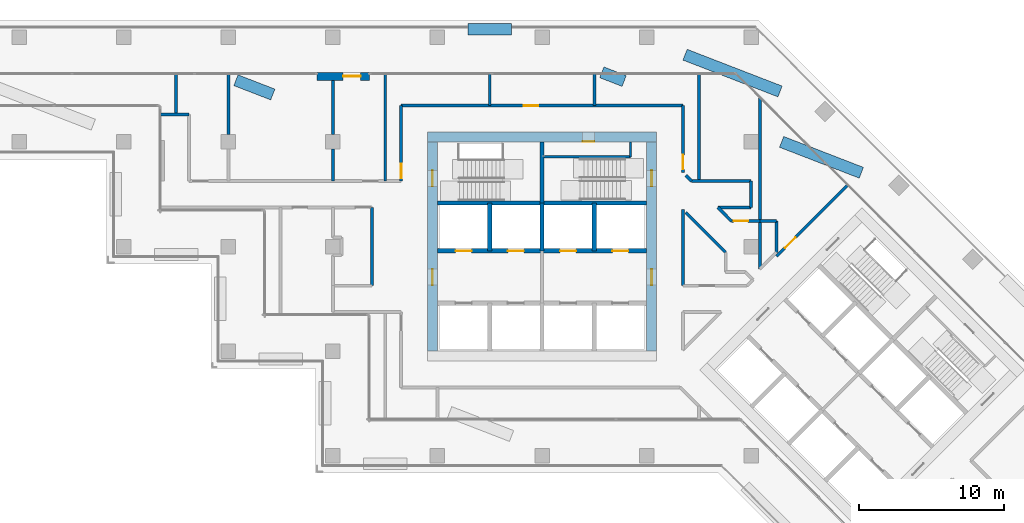
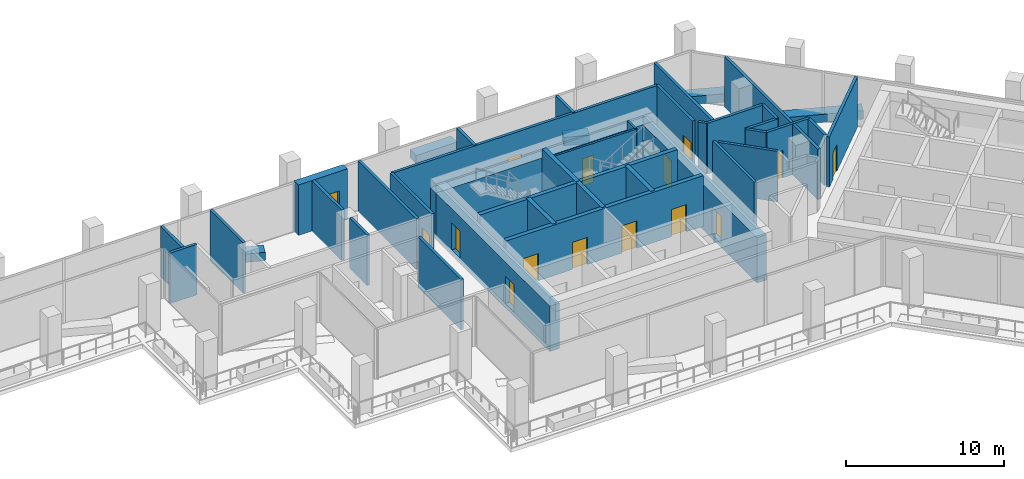
# One storey, part 11 of 21: 44 walls, 15 doors, 15 openings.
"""IFC4 building model written with IfcOpenShell, lengths in metres."""

from ifc_helpers import new_model, si_unit, direction, frame, frame_2d, origin, place, context, subcontext, project, spatial, rectangle, extrude, material, layer, layer_set, type_object, element, fill, save


model = new_model("IFC4")

# Units and contexts
model_context = context("Model", 3, precision=1e-05, world=origin(), true_north=direction((0.0, 1.0)))
body_context = subcontext(model_context, "Body", "Model", "MODEL_VIEW")
ifc_project = project(units=[si_unit("LENGTHUNIT", "METRE"), si_unit("AREAUNIT", "SQUARE_METRE"), si_unit("VOLUMEUNIT", "CUBIC_METRE"), si_unit("PLANEANGLEUNIT", "RADIAN"), si_unit("MASSUNIT", "GRAM", prefix="KILO")], contexts=[model_context])

# Site, building, storey
site_placement = place(None, origin())
site = spatial("IfcSite", under=ifc_project, at=site_placement, CompositionType="ELEMENT")
building_placement = place(site_placement, origin())
building = spatial("IfcBuilding", under=site, at=building_placement, Name="Windrow Commons", CompositionType="ELEMENT")
storey_placement = place(building_placement, frame((0.0, 0.0, 131.2)))
storey = spatial("IfcBuildingStorey", under=building, at=storey_placement, Name="L35", CompositionType="ELEMENT", Elevation=131.2)

# Wall, opening, door
ifc_material_1 = material(Name="Brick masonry, red clay brick", Category="masonry")
ifc_layer_1 = layer(ifc_material_1, 0.55)
ifc_layer_set_1 = layer_set([ifc_layer_1], Name="Brick facade wall 550")
wall_type_1 = type_object("IfcWallType", Name="Brick facade wall 550", PredefinedType="SOLIDWALL", material=ifc_layer_set_1)
wall_1_placement = place(storey_placement, frame((52.9029, 69.325, 0.0), z_axis=(0.0, 0.0, 1.0), x_axis=(-1.0, 0.0, 0.0)))
wall_1 = element("IfcWall", 1, at=wall_1_placement, inside=storey, type_object=wall_type_1, Name="Brick facade wall L35 door pier 4", PredefinedType="SOLIDWALL", context=body_context, shape_type="SweptSolid", body=[
    extrude(rectangle(XDim=3.6, YDim=0.55, at=frame_2d((1.8, 0.0))), origin(), (0.0, 0.0, 1.0), 3.9),
])
opening_1_placement = place(wall_1_placement, frame((0.6, 0.0, 0.0)))
opening_1 = element("IfcOpeningElement", 2, at=opening_1_placement, cuts=wall_1, Name="Opening TD7", PredefinedType="OPENING", context=body_context, shape_type="SweptSolid", body=[
    extrude(rectangle(XDim=1.2, YDim=2.4, at=frame_2d((0.6, 1.2))), frame((0.0, 0.285, 0.0), z_axis=(0.0, -1.0, 0.0), x_axis=(1.0, 0.0, 0.0)), (0.0, 0.0, 1.0), 0.57),
])
ifc_material_2 = material(Name="Aluminium 6063-T6 anodised frame with clear glass", Category="aluminium")
door_type_1 = type_object("IfcDoorType", Name="Terrace door TD7 1200x2400", OperationType="SINGLE_SWING_LEFT", PredefinedType="DOOR", material=ifc_material_2)
door_1_placement = place(opening_1_placement, origin())
door_1 = element("IfcDoor", 3, at=door_1_placement, inside=storey, type_object=door_type_1, Name="Terrace door L35 4.1", OperationType="SINGLE_SWING_LEFT", OverallHeight=2.4, OverallWidth=1.2, PredefinedType="DOOR", context=body_context, shape_type="SweptSolid", body=[
    extrude(rectangle(XDim=1.2, YDim=2.4, at=frame_2d((0.6, 1.2))), frame((0.0, 0.025, 0.0), z_axis=(0.0, -1.0, 0.0), x_axis=(1.0, 0.0, 0.0)), (0.0, 0.0, 1.0), 0.05),
])
fill(opening_1, door_1)

ifc_material_3 = material(Name="Blockwork partition", Category="masonry")
ifc_layer_2 = layer(ifc_material_3, 0.2)
ifc_layer_set_2 = layer_set([ifc_layer_2], Name="IW-CORRIDOR-200")
wall_type_2 = type_object("IfcWallType", Name="IW-CORRIDOR-200", PredefinedType="PARTITIONING", material=ifc_layer_set_2)
wall_2_placement = place(storey_placement, frame((55.102, 67.3, 0.0), z_axis=(0.0, 0.0, 1.0), x_axis=(1.0, 0.0, 0.0)))
wall_2 = element("IfcWall", 4, at=wall_2_placement, inside=storey, type_object=wall_type_2, Name="W-L35-W000", PredefinedType="PARTITIONING", context=body_context, shape_type="SweptSolid", body=[
    extrude(rectangle(XDim=19.398, YDim=0.2, at=frame_2d((9.699, 0.0))), origin(), (0.0, 0.0, 1.0), 3.9),
])
opening_2_placement = place(wall_2_placement, frame((8.4355, 0.0, 0.0)))
opening_2 = element("IfcOpeningElement", 5, at=opening_2_placement, cuts=wall_2, Name="Opening D310F", PredefinedType="OPENING", context=body_context, shape_type="SweptSolid", body=[
    extrude(rectangle(XDim=1.0, YDim=2.1, at=frame_2d((0.5, 1.05))), frame((0.0, 0.11, 0.0), z_axis=(0.0, -1.0, 0.0), x_axis=(1.0, 0.0, 0.0)), (0.0, 0.0, 1.0), 0.22),
])
ifc_material_4 = material(Name="Timber door leaf", Category="wood")
door_type_2 = type_object("IfcDoorType", Name="DT-AMENITY-1000", OperationType="SINGLE_SWING_LEFT", PredefinedType="DOOR", material=ifc_material_4)
door_2_placement = place(opening_2_placement, origin())
door_2 = element("IfcDoor", 6, at=door_2_placement, inside=storey, type_object=door_type_2, Name="D-L35-D010", OperationType="SINGLE_SWING_LEFT", OverallHeight=2.1, OverallWidth=1.0, PredefinedType="DOOR", context=body_context, shape_type="SweptSolid", body=[
    extrude(rectangle(XDim=1.0, YDim=2.1, at=frame_2d((0.5, 1.05))), frame((0.0, 0.025, 0.0), z_axis=(0.0, -1.0, 0.0), x_axis=(1.0, 0.0, 0.0)), (0.0, 0.0, 1.0), 0.05),
])
fill(opening_2, door_2)

wall_3_placement = place(storey_placement, frame((80.9507, 56.9233, 0.0), z_axis=(0.0, 0.0, 1.0), x_axis=(0.7071067812, 0.7071067812, 0.0)))
wall_3 = element("IfcWall", 7, at=wall_3_placement, inside=storey, type_object=wall_type_2, Name="W-L35-W013", PredefinedType="PARTITIONING", context=body_context, shape_type="SweptSolid", body=[
    extrude(rectangle(XDim=6.8929, YDim=0.2, at=frame_2d((3.4465, 0.0))), origin(), (0.0, 0.0, 1.0), 3.9),
])
opening_3_placement = place(wall_3_placement, frame((0.8322, 0.0, 0.0)))
opening_3 = element("IfcOpeningElement", 8, at=opening_3_placement, cuts=wall_3, Name="Opening D310F", PredefinedType="OPENING", context=body_context, shape_type="SweptSolid", body=[
    extrude(rectangle(XDim=1.0, YDim=2.1, at=frame_2d((0.5, 1.05))), frame((0.0, 0.11, 0.0), z_axis=(0.0, -1.0, 0.0), x_axis=(1.0, 0.0, 0.0)), (0.0, 0.0, 1.0), 0.22),
])
door_3_placement = place(opening_3_placement, origin())
door_3 = element("IfcDoor", 9, at=door_3_placement, inside=storey, type_object=door_type_2, Name="D-L35-D012", OperationType="SINGLE_SWING_RIGHT", OverallHeight=2.1, OverallWidth=1.0, PredefinedType="DOOR", context=body_context, shape_type="SweptSolid", body=[
    extrude(rectangle(XDim=1.0, YDim=2.1, at=frame_2d((0.5, 1.05))), frame((0.0, 0.025, 0.0), z_axis=(0.0, -1.0, 0.0), x_axis=(1.0, 0.0, 0.0)), (0.0, 0.0, 1.0), 0.05),
])
fill(opening_3, door_3)

# Walls
wall_4_placement = place(storey_placement, frame((53.1, 54.902, 0.0), z_axis=(0.0, 0.0, 1.0), x_axis=(0.0, 1.0, 0.0)))
element("IfcWall", 10, at=wall_4_placement, inside=storey, type_object=wall_type_2, Name="W-L35-W014", PredefinedType="PARTITIONING", context=body_context, shape_type="SweptSolid", body=[
    extrude(rectangle(XDim=5.398, YDim=0.2, at=frame_2d((2.699, 0.0))), origin(), (0.0, 0.0, 1.0), 3.9),
])
wall_5_placement = place(storey_placement, frame((74.5, 54.902, 0.0), z_axis=(0.0, 0.0, 1.0), x_axis=(0.0, 1.0, 0.0)))
element("IfcWall", 11, at=wall_5_placement, inside=storey, type_object=wall_type_2, Name="W-L35-W015", PredefinedType="PARTITIONING", context=body_context, shape_type="SweptSolid", body=[
    extrude(rectangle(XDim=5.25, YDim=0.2, at=frame_2d((2.625, 0.0))), origin(), (0.0, 0.0, 1.0), 3.9),
])

# Wall, opening, door
wall_6_placement = place(storey_placement, frame((55.1, 62.102, 0.0), z_axis=(0.0, 0.0, 1.0), x_axis=(0.0, 1.0, 0.0)))
wall_6 = element("IfcWall", 12, at=wall_6_placement, inside=storey, type_object=wall_type_2, Name="W-L35-W017", PredefinedType="PARTITIONING", context=body_context, shape_type="SweptSolid", body=[
    extrude(rectangle(XDim=5.196, YDim=0.2, at=frame_2d((2.598, 0.0))), origin(), (0.0, 0.0, 1.0), 3.9),
])
opening_4_placement = place(wall_6_placement, frame((0.1994, 0.0, 0.0)))
opening_4 = element("IfcOpeningElement", 13, at=opening_4_placement, cuts=wall_6, Name="Opening D310F", PredefinedType="OPENING", context=body_context, shape_type="SweptSolid", body=[
    extrude(rectangle(XDim=1.0, YDim=2.1, at=frame_2d((0.5, 1.05))), frame((0.0, 0.11, 0.0), z_axis=(0.0, -1.0, 0.0), x_axis=(1.0, 0.0, 0.0)), (0.0, 0.0, 1.0), 0.22),
])
door_4_placement = place(opening_4_placement, origin())
door_4 = element("IfcDoor", 14, at=door_4_placement, inside=storey, type_object=door_type_2, Name="D-L35-D008", OperationType="SINGLE_SWING_LEFT", OverallHeight=2.1, OverallWidth=1.0, PredefinedType="DOOR", context=body_context, shape_type="SweptSolid", body=[
    extrude(rectangle(XDim=1.0, YDim=2.1, at=frame_2d((0.5, 1.05))), frame((0.0, 0.025, 0.0), z_axis=(0.0, -1.0, 0.0), x_axis=(1.0, 0.0, 0.0)), (0.0, 0.0, 1.0), 0.05),
])
fill(opening_4, door_4)

wall_7_placement = place(storey_placement, frame((74.5, 62.7, 0.0), z_axis=(0.0, 0.0, 1.0), x_axis=(0.0, 1.0, 0.0)))
wall_7 = element("IfcWall", 15, at=wall_7_placement, inside=storey, type_object=wall_type_2, Name="W-L35-W020", PredefinedType="PARTITIONING", context=body_context, shape_type="SweptSolid", body=[
    extrude(rectangle(XDim=4.598, YDim=0.2, at=frame_2d((2.299, 0.0))), origin(), (0.0, 0.0, 1.0), 3.9),
])
opening_5_placement = place(wall_7_placement, frame((0.21, 0.0, 0.0)))
opening_5 = element("IfcOpeningElement", 16, at=opening_5_placement, cuts=wall_7, Name="Opening D310F", PredefinedType="OPENING", context=body_context, shape_type="SweptSolid", body=[
    extrude(rectangle(XDim=1.0, YDim=2.1, at=frame_2d((0.5, 1.05))), frame((0.0, 0.11, 0.0), z_axis=(0.0, -1.0, 0.0), x_axis=(1.0, 0.0, 0.0)), (0.0, 0.0, 1.0), 0.22),
])
door_5_placement = place(opening_5_placement, origin())
door_5 = element("IfcDoor", 17, at=door_5_placement, inside=storey, type_object=door_type_2, Name="D-L35-D009", OperationType="SINGLE_SWING_LEFT", OverallHeight=2.1, OverallWidth=1.0, PredefinedType="DOOR", context=body_context, shape_type="SweptSolid", body=[
    extrude(rectangle(XDim=1.0, YDim=2.1, at=frame_2d((0.5, 1.05))), frame((0.0, 0.025, 0.0), z_axis=(0.0, -1.0, 0.0), x_axis=(1.0, 0.0, 0.0)), (0.0, 0.0, 1.0), 0.05),
])
fill(opening_5, door_5)

# Walls
wall_8_placement = place(storey_placement, frame((75.1, 62.1, 0.0), z_axis=(0.0, 0.0, 1.0), x_axis=(1.0, 0.0, 0.0)))
element("IfcWall", 18, at=wall_8_placement, inside=storey, type_object=wall_type_2, Name="W-L35-W024", PredefinedType="PARTITIONING", context=body_context, shape_type="SweptSolid", body=[
    extrude(rectangle(XDim=4.1, YDim=0.2, at=frame_2d((2.05, 0.0))), origin(), (0.0, 0.0, 1.0), 3.9),
])
wall_9_placement = place(storey_placement, frame((74.6966, 59.9506, 0.0), z_axis=(0.0, 0.0, 1.0), x_axis=(0.7071067812, -0.7071067812, 0.0)))
element("IfcWall", 19, at=wall_9_placement, inside=storey, type_object=wall_type_2, Name="W-L35-W025", PredefinedType="PARTITIONING", context=body_context, shape_type="SweptSolid", body=[
    extrude(rectangle(XDim=3.8891, YDim=0.2, at=frame_2d((1.9446, 0.0))), origin(), (0.0, 0.0, 1.0), 3.9),
])
wall_10_placement = place(storey_placement, frame((79.8, 56.056, 0.0), z_axis=(0.0, 0.0, 1.0), x_axis=(0.0, 1.0, 0.0)))
element("IfcWall", 20, at=wall_10_placement, inside=storey, type_object=wall_type_2, Name="W-L35-W027", PredefinedType="PARTITIONING", context=body_context, shape_type="SweptSolid", body=[
    extrude(rectangle(XDim=3.294, YDim=0.2, at=frame_2d((1.647, 0.0))), origin(), (0.0, 0.0, 1.0), 3.9),
])
wall_11_placement = place(storey_placement, frame((76.902, 60.3, 0.0), z_axis=(0.0, 0.0, 1.0), x_axis=(1.0, 0.0, 0.0)))
element("IfcWall", 21, at=wall_11_placement, inside=storey, type_object=wall_type_2, Name="W-L35-W034", PredefinedType="PARTITIONING", context=body_context, shape_type="SweptSolid", body=[
    extrude(rectangle(XDim=2.296, YDim=0.2, at=frame_2d((1.148, 0.0))), origin(), (0.0, 0.0, 1.0), 3.9),
])
wall_12_placement = place(storey_placement, frame((38.53, 66.7, 0.0), z_axis=(0.0, 0.0, 1.0), x_axis=(1.0, 0.0, 0.0)))
element("IfcWall", 22, at=wall_12_placement, inside=storey, type_object=wall_type_2, Name="W-L35-W044", PredefinedType="PARTITIONING", context=body_context, shape_type="SweptSolid", body=[
    extrude(rectangle(XDim=1.97, YDim=0.2, at=frame_2d((0.985, 0.0))), origin(), (0.0, 0.0, 1.0), 3.9),
])

# Wall, opening, door
wall_13_placement = place(storey_placement, frame((77.85, 59.35, 0.0), z_axis=(0.0, 0.0, 1.0), x_axis=(1.0, 0.0, 0.0)))
wall_13 = element("IfcWall", 23, at=wall_13_placement, inside=storey, type_object=wall_type_2, Name="W-L35-W045", PredefinedType="PARTITIONING", context=body_context, shape_type="SweptSolid", body=[
    extrude(rectangle(XDim=1.95, YDim=0.2, at=frame_2d((0.975, 0.0))), origin(), (0.0, 0.0, 1.0), 3.9),
])
opening_6_placement = place(wall_13_placement, frame((0.1472, 0.0, 0.0)))
opening_6 = element("IfcOpeningElement", 24, at=opening_6_placement, cuts=wall_13, Name="Opening D310F", PredefinedType="OPENING", context=body_context, shape_type="SweptSolid", body=[
    extrude(rectangle(XDim=1.0, YDim=2.1, at=frame_2d((0.5, 1.05))), frame((0.0, 0.11, 0.0), z_axis=(0.0, -1.0, 0.0), x_axis=(1.0, 0.0, 0.0)), (0.0, 0.0, 1.0), 0.22),
])
door_6_placement = place(opening_6_placement, origin())
door_6 = element("IfcDoor", 25, at=door_6_placement, inside=storey, type_object=door_type_2, Name="D-L35-D011", OperationType="SINGLE_SWING_LEFT", OverallHeight=2.1, OverallWidth=1.0, PredefinedType="DOOR", context=body_context, shape_type="SweptSolid", body=[
    extrude(rectangle(XDim=1.0, YDim=2.1, at=frame_2d((0.5, 1.05))), frame((0.0, 0.025, 0.0), z_axis=(0.0, -1.0, 0.0), x_axis=(1.0, 0.0, 0.0)), (0.0, 0.0, 1.0), 0.05),
])
fill(opening_6, door_6)

# Walls
wall_14_placement = place(storey_placement, frame((79.2, 60.302, 0.0), z_axis=(0.0, 0.0, 1.0), x_axis=(0.0, 1.0, 0.0)))
element("IfcWall", 26, at=wall_14_placement, inside=storey, type_object=wall_type_2, Name="W-L35-W047", PredefinedType="PARTITIONING", context=body_context, shape_type="SweptSolid", body=[
    extrude(rectangle(XDim=1.798, YDim=0.2, at=frame_2d((0.899, 0.0))), origin(), (0.0, 0.0, 1.0), 3.9),
])
wall_15_placement = place(storey_placement, frame((76.9029, 60.3009, 0.0), z_axis=(0.0, 0.0, 1.0), x_axis=(0.7063612818, -0.7078514954, 0.0)))
element("IfcWall", 27, at=wall_15_placement, inside=storey, type_object=wall_type_2, Name="W-L35-W051", PredefinedType="PARTITIONING", context=body_context, shape_type="SweptSolid", body=[
    extrude(rectangle(XDim=1.3421, YDim=0.2, at=frame_2d((0.6711, 0.0))), origin(), (0.0, 0.0, 1.0), 3.9),
])
wall_16_placement = place(storey_placement, frame((74.7035, 62.5035, 0.0), z_axis=(0.0, 0.0, 1.0), x_axis=(0.7071067812, -0.7071067812, 0.0)))
element("IfcWall", 28, at=wall_16_placement, inside=storey, type_object=wall_type_2, Name="W-L35-W059", PredefinedType="PARTITIONING", context=body_context, shape_type="SweptSolid", body=[
    extrude(rectangle(XDim=0.5657, YDim=0.2, at=frame_2d((0.2828, 0.0))), origin(), (0.0, 0.0, 1.0), 3.9),
])
ifc_material_5 = material(Name="Blockwork partition", Category="masonry")
ifc_layer_3 = layer(ifc_material_5, 0.2)
ifc_layer_set_3 = layer_set([ifc_layer_3], Name="IW-PARTY-200")
wall_type_3 = type_object("IfcWallType", Name="IW-PARTY-200", PredefinedType="PARTITIONING", material=ifc_layer_set_3)
wall_17_placement = place(storey_placement, frame((79.8, 59.35, 0.0), z_axis=(0.0, 0.0, 1.0), x_axis=(0.0, 1.0, 0.0)))
element("IfcWall", 29, at=wall_17_placement, inside=storey, type_object=wall_type_3, Name="W-L35-W006", PredefinedType="PARTITIONING", context=body_context, shape_type="SweptSolid", body=[
    extrude(rectangle(XDim=8.472, YDim=0.2, at=frame_2d((4.236, 0.0))), origin(), (0.0, 0.0, 1.0), 3.9),
])
for number, where, z_axis, x_axis, name in (
    (30, (54.0, 62.1, 0.0), (0.0, 0.0, 1.0), (0.0, 1.0, 0.0), "W-L35-W011"),
    (31, (75.6, 62.1, 0.0), (0.0, 0.0, 1.0), (0.0, 1.0, 0.0), "W-L35-W012"),
):
    element("IfcWall", number, at=place(storey_placement, frame(where, z_axis=z_axis, x_axis=x_axis)), inside=storey, type_object=wall_type_3, Name=name, PredefinedType="PARTITIONING", context=body_context, shape_type="SweptSolid", body=[
        extrude(rectangle(XDim=7.37, YDim=0.2, at=frame_2d((3.685, 0.0))), origin(), (0.0, 0.0, 1.0), 3.9),
    ])
wall_18_placement = place(storey_placement, frame((43.2, 65.3, 0.0), z_axis=(0.0, 0.0, 1.0), x_axis=(0.0, 1.0, 0.0)))
element("IfcWall", 32, at=wall_18_placement, inside=storey, type_object=wall_type_3, Name="W-L35-W022", PredefinedType="PARTITIONING", context=body_context, shape_type="SweptSolid", body=[
    extrude(rectangle(XDim=4.17, YDim=0.2, at=frame_2d((2.085, 0.0))), origin(), (0.0, 0.0, 1.0), 3.9),
])
wall_19_placement = place(storey_placement, frame((50.4, 65.3, 0.0), z_axis=(0.0, 0.0, 1.0), x_axis=(0.0, 1.0, 0.0)))
element("IfcWall", 33, at=wall_19_placement, inside=storey, type_object=wall_type_3, Name="W-L35-W023", PredefinedType="PARTITIONING", context=body_context, shape_type="SweptSolid", body=[
    extrude(rectangle(XDim=3.75, YDim=0.2, at=frame_2d((1.875, 0.0))), origin(), (0.0, 0.0, 1.0), 3.9),
])
wall_20_placement = place(storey_placement, frame((39.6, 66.7, 0.0), z_axis=(0.0, 0.0, 1.0), x_axis=(0.0, 1.0, 0.0)))
element("IfcWall", 34, at=wall_20_placement, inside=storey, type_object=wall_type_3, Name="W-L35-W030", PredefinedType="PARTITIONING", context=body_context, shape_type="SweptSolid", body=[
    extrude(rectangle(XDim=2.77, YDim=0.2, at=frame_2d((1.385, 0.0))), origin(), (0.0, 0.0, 1.0), 3.9),
])
wall_21_placement = place(storey_placement, frame((50.4, 62.1, 0.0), z_axis=(0.0, 0.0, 1.0), x_axis=(0.0, 1.0, 0.0)))
element("IfcWall", 35, at=wall_21_placement, inside=storey, type_object=wall_type_3, Name="W-L35-W036", PredefinedType="PARTITIONING", context=body_context, shape_type="SweptSolid", body=[
    extrude(rectangle(XDim=2.2, YDim=0.2, at=frame_2d((1.1, 0.0))), origin(), (0.0, 0.0, 1.0), 3.9),
])
for number, where, z_axis, x_axis, name in (
    (36, (61.2, 67.3, 0.0), (0.0, 0.0, 1.0), (0.0, 1.0, 0.0), "W-L35-W038"),
    (37, (68.4, 67.3, 0.0), (0.0, 0.0, 1.0), (0.0, 1.0, 0.0), "W-L35-W039"),
):
    element("IfcWall", number, at=place(storey_placement, frame(where, z_axis=z_axis, x_axis=x_axis)), inside=storey, type_object=wall_type_3, Name=name, PredefinedType="PARTITIONING", context=body_context, shape_type="SweptSolid", body=[
        extrude(rectangle(XDim=2.17, YDim=0.2, at=frame_2d((1.085, 0.0))), origin(), (0.0, 0.0, 1.0), 3.9),
    ])
wall_22_placement = place(storey_placement, frame((80.95, 57.204, 0.0), z_axis=(0.0, 0.0, 1.0), x_axis=(0.0, 1.0, 0.0)))
element("IfcWall", 38, at=wall_22_placement, inside=storey, type_object=wall_type_3, Name="W-L35-W040", PredefinedType="PARTITIONING", context=body_context, shape_type="SweptSolid", body=[
    extrude(rectangle(XDim=2.144, YDim=0.2, at=frame_2d((1.072, 0.0))), origin(), (0.0, 0.0, 1.0), 3.9),
])
wall_23_placement = place(storey_placement, frame((79.8, 59.35, 0.0), z_axis=(0.0, 0.0, 1.0), x_axis=(1.0, 0.0, 0.0)))
element("IfcWall", 39, at=wall_23_placement, inside=storey, type_object=wall_type_3, Name="W-L35-W053", PredefinedType="PARTITIONING", context=body_context, shape_type="SweptSolid", body=[
    extrude(rectangle(XDim=1.148, YDim=0.2, at=frame_2d((0.574, 0.0))), origin(), (0.0, 0.0, 1.0), 3.9),
])
ifc_material_6 = material(Name="Concrete C30/37 planter wall", Category="concrete")
ifc_layer_4 = layer(ifc_material_6, 0.8)
ifc_layer_set_4 = layer_set([ifc_layer_4], Name="Planter 800x600")
wall_type_4 = type_object("IfcWallType", Name="Planter 800x600", PredefinedType="SOLIDWALL", material=ifc_layer_set_4)
wall_24_placement = place(storey_placement, frame((62.7, 72.55, 0.0), z_axis=(0.0, 0.0, 1.0), x_axis=(-1.0, 0.0, 0.0)))
element("IfcWall", 40, at=wall_24_placement, inside=storey, type_object=wall_type_4, Name="PLANTER TR-L35-1.5", PredefinedType="SOLIDWALL", context=body_context, shape_type="SweptSolid", body=[
    extrude(rectangle(XDim=3.0, YDim=0.8, at=frame_2d((1.5, 0.0))), origin(), (0.0, 0.0, 1.0), 0.65),
])
wall_25_placement = place(storey_placement, frame((81.1932, 68.277, 0.0), z_axis=(0.0, 0.0, 1.0), x_axis=(-0.9326194654, 0.3608613761, 0.0)))
element("IfcWall", 41, at=wall_25_placement, inside=storey, type_object=wall_type_4, Name="PLANTER TR-L35-1 bed 1", PredefinedType="SOLIDWALL", context=body_context, shape_type="SweptSolid", body=[
    extrude(rectangle(XDim=7.0177, YDim=0.8, at=frame_2d((3.5088, 0.0))), origin(), (0.0, 0.0, 1.0), 0.65),
])
wall_26_placement = place(storey_placement, frame((86.7899, 62.6803, 0.0), z_axis=(0.0, 0.0, 1.0), x_axis=(-0.9326208509, 0.3608577955, 0.0)))
element("IfcWall", 42, at=wall_26_placement, inside=storey, type_object=wall_type_4, Name="PLANTER TR-L35-1 bed 2", PredefinedType="SOLIDWALL", context=body_context, shape_type="SweptSolid", body=[
    extrude(rectangle(XDim=5.8865, YDim=0.8, at=frame_2d((2.9432, 0.0))), origin(), (0.0, 0.0, 1.0), 0.65),
])
wall_27_placement = place(storey_placement, frame((70.4569, 69.0, 0.0), z_axis=(0.0, 0.0, 1.0), x_axis=(-0.9326148784, 0.3608732306, 0.0)))
element("IfcWall", 43, at=wall_27_placement, inside=storey, type_object=wall_type_4, Name="PLANTER TR-L35-1 bed 3", PredefinedType="SOLIDWALL", context=body_context, shape_type="SweptSolid", body=[
    extrude(rectangle(XDim=1.6479, YDim=0.8, at=frame_2d((0.8239, 0.0))), origin(), (0.0, 0.0, 1.0), 0.65),
])
wall_28_placement = place(storey_placement, frame((46.2596, 68.069, 0.0), z_axis=(0.0, 0.0, 1.0), x_axis=(-0.9326139528, 0.3608756227, 0.0)))
element("IfcWall", 44, at=wall_28_placement, inside=storey, type_object=wall_type_4, Name="PLANTER TR-L35-1 bed 7", PredefinedType="SOLIDWALL", context=body_context, shape_type="SweptSolid", body=[
    extrude(rectangle(XDim=2.7231, YDim=0.8, at=frame_2d((1.3616, 0.0))), origin(), (0.0, 0.0, 1.0), 0.65),
])

# Wall, opening, door
ifc_material_7 = material(Name="Concrete C50/60", Category="concrete")
ifc_layer_5 = layer(ifc_material_7, 0.7)
ifc_layer_set_5 = layer_set([ifc_layer_5], Name="RC CORE WALL 700 C50/60")
wall_type_5 = type_object("IfcWallType", Name="RC CORE WALL 700 C50/60", PredefinedType="SHEAR", material=ifc_layer_set_5)
wall_29_placement = place(storey_placement, frame((56.9, 65.15, -0.3), z_axis=(0.0, 0.0, 1.0), x_axis=(1.0, 0.0, 0.0)))
wall_29 = element("IfcWall", 45, at=wall_29_placement, inside=storey, type_object=wall_type_5, Name="Core A wall outer-N", PredefinedType="SHEAR", context=body_context, shape_type="SweptSolid", body=[
    extrude(rectangle(XDim=15.8, YDim=0.7, at=frame_2d((7.9, 0.0))), origin(), (0.0, 0.0, 1.0), 3.5),
])
opening_7_placement = place(wall_29_placement, frame((10.7, 0.0, 0.3)))
opening_7 = element("IfcOpeningElement", 46, at=opening_7_placement, cuts=wall_29, Name="Opening D9", PredefinedType="OPENING", context=body_context, shape_type="SweptSolid", body=[
    extrude(rectangle(XDim=0.8, YDim=2.1, at=frame_2d((0.4, 1.05))), frame((0.0, 0.36, 0.0), z_axis=(0.0, -1.0, 0.0), x_axis=(1.0, 0.0, 0.0)), (0.0, 0.0, 1.0), 0.72),
])
ifc_material_8 = material(Name="Steel fire door leaf", Category="steel")
door_type_3 = type_object("IfcDoorType", Name="Riser access door 800", OperationType="SINGLE_SWING_LEFT", PredefinedType="DOOR", material=ifc_material_8)
door_7_placement = place(opening_7_placement, origin())
door_7 = element("IfcDoor", 47, at=door_7_placement, inside=storey, type_object=door_type_3, Name="Riser access door", OperationType="SINGLE_SWING_RIGHT", OverallHeight=2.1, OverallWidth=0.8, PredefinedType="DOOR", context=body_context, shape_type="SweptSolid", body=[
    extrude(rectangle(XDim=0.8, YDim=2.1, at=frame_2d((0.4, 1.05))), frame((0.0, -0.29, 0.0), z_axis=(0.0, -1.0, 0.0), x_axis=(1.0, 0.0, 0.0)), (0.0, 0.0, 1.0), 0.05),
])
fill(opening_7, door_7)

# Wall, openings, doors
wall_30_placement = place(storey_placement, frame((57.25, 50.4, -0.3), z_axis=(0.0, 0.0, 1.0), x_axis=(0.0, 1.0, 0.0)))
wall_30 = element("IfcWall", 48, at=wall_30_placement, inside=storey, type_object=wall_type_5, Name="Core A wall outer-W", PredefinedType="SHEAR", context=body_context, shape_type="SweptSolid", body=[
    extrude(rectangle(XDim=14.4, YDim=0.7, at=frame_2d((7.2, 0.0))), origin(), (0.0, 0.0, 1.0), 3.5),
])
opening_8_placement = place(wall_30_placement, frame((4.55, 0.0, 0.3)))
opening_8 = element("IfcOpeningElement", 49, at=opening_8_placement, cuts=wall_30, Name="Opening D6", PredefinedType="OPENING", context=body_context, shape_type="SweptSolid", body=[
    extrude(rectangle(XDim=1.1, YDim=2.1, at=frame_2d((0.55, 1.05))), frame((0.0, 0.36, 0.0), z_axis=(0.0, -1.0, 0.0), x_axis=(1.0, 0.0, 0.0)), (0.0, 0.0, 1.0), 0.72),
])
opening_9_placement = place(wall_30_placement, frame((11.35, 0.0, 0.3)))
opening_9 = element("IfcOpeningElement", 50, at=opening_9_placement, cuts=wall_30, Name="Opening D7", PredefinedType="OPENING", context=body_context, shape_type="SweptSolid", body=[
    extrude(rectangle(XDim=1.1, YDim=2.1, at=frame_2d((0.55, 1.05))), frame((0.0, 0.36, 0.0), z_axis=(0.0, -1.0, 0.0), x_axis=(1.0, 0.0, 0.0)), (0.0, 0.0, 1.0), 0.72),
])
ifc_material_9 = material(Name="Steel fire door leaf", Category="steel")
door_type_4 = type_object("IfcDoorType", Name="Core lobby door 1100", OperationType="SINGLE_SWING_LEFT", PredefinedType="DOOR", material=ifc_material_9)
door_8_placement = place(opening_8_placement, origin())
door_8 = element("IfcDoor", 51, at=door_8_placement, inside=storey, type_object=door_type_4, Name="Lift lobby door", OperationType="DOUBLE_DOOR_SINGLE_SWING", OverallHeight=2.1, OverallWidth=1.1, PredefinedType="DOOR", context=body_context, shape_type="SweptSolid", body=[
    extrude(rectangle(XDim=1.1, YDim=2.1, at=frame_2d((0.55, 1.05))), frame((0.0, 0.025, 0.0), z_axis=(0.0, -1.0, 0.0), x_axis=(1.0, 0.0, 0.0)), (0.0, 0.0, 1.0), 0.05),
])
fill(opening_8, door_8)
ifc_material_10 = material(Name="Steel fire door leaf", Category="steel")
door_type_5 = type_object("IfcDoorType", Name="Stair door 1100", OperationType="SINGLE_SWING_LEFT", PredefinedType="DOOR", material=ifc_material_10)
door_9_placement = place(opening_9_placement, origin())
door_9 = element("IfcDoor", 52, at=door_9_placement, inside=storey, type_object=door_type_5, Name="Stair door", OperationType="SINGLE_SWING_LEFT", OverallHeight=2.1, OverallWidth=1.1, PredefinedType="DOOR", context=body_context, shape_type="SweptSolid", body=[
    extrude(rectangle(XDim=1.1, YDim=2.1, at=frame_2d((0.55, 1.05))), frame((0.0, 0.025, 0.0), z_axis=(0.0, -1.0, 0.0), x_axis=(1.0, 0.0, 0.0)), (0.0, 0.0, 1.0), 0.05),
])
fill(opening_9, door_9)

wall_31_placement = place(storey_placement, frame((72.35, 50.4, -0.3), z_axis=(0.0, 0.0, 1.0), x_axis=(0.0, 1.0, 0.0)))
wall_31 = element("IfcWall", 53, at=wall_31_placement, inside=storey, type_object=wall_type_5, Name="Core A wall outer-E", PredefinedType="SHEAR", context=body_context, shape_type="SweptSolid", body=[
    extrude(rectangle(XDim=14.4, YDim=0.7, at=frame_2d((7.2, 0.0))), origin(), (0.0, 0.0, 1.0), 3.5),
])
opening_10_placement = place(wall_31_placement, frame((4.55, 0.0, 0.3)))
opening_10 = element("IfcOpeningElement", 54, at=opening_10_placement, cuts=wall_31, Name="Opening D6", PredefinedType="OPENING", context=body_context, shape_type="SweptSolid", body=[
    extrude(rectangle(XDim=1.1, YDim=2.1, at=frame_2d((0.55, 1.05))), frame((0.0, 0.36, 0.0), z_axis=(0.0, -1.0, 0.0), x_axis=(1.0, 0.0, 0.0)), (0.0, 0.0, 1.0), 0.72),
])
opening_11_placement = place(wall_31_placement, frame((11.35, 0.0, 0.3)))
opening_11 = element("IfcOpeningElement", 55, at=opening_11_placement, cuts=wall_31, Name="Opening D7", PredefinedType="OPENING", context=body_context, shape_type="SweptSolid", body=[
    extrude(rectangle(XDim=1.1, YDim=2.1, at=frame_2d((0.55, 1.05))), frame((0.0, 0.36, 0.0), z_axis=(0.0, -1.0, 0.0), x_axis=(1.0, 0.0, 0.0)), (0.0, 0.0, 1.0), 0.72),
])
door_10_placement = place(opening_10_placement, origin())
door_10 = element("IfcDoor", 56, at=door_10_placement, inside=storey, type_object=door_type_4, Name="Lift lobby door", OperationType="DOUBLE_DOOR_SINGLE_SWING", OverallHeight=2.1, OverallWidth=1.1, PredefinedType="DOOR", context=body_context, shape_type="SweptSolid", body=[
    extrude(rectangle(XDim=1.1, YDim=2.1, at=frame_2d((0.55, 1.05))), frame((0.0, 0.025, 0.0), z_axis=(0.0, -1.0, 0.0), x_axis=(1.0, 0.0, 0.0)), (0.0, 0.0, 1.0), 0.05),
])
fill(opening_10, door_10)
door_11_placement = place(opening_11_placement, origin())
door_11 = element("IfcDoor", 57, at=door_11_placement, inside=storey, type_object=door_type_5, Name="Stair door", OperationType="SINGLE_SWING_RIGHT", OverallHeight=2.1, OverallWidth=1.1, PredefinedType="DOOR", context=body_context, shape_type="SweptSolid", body=[
    extrude(rectangle(XDim=1.1, YDim=2.1, at=frame_2d((0.55, 1.05))), frame((0.0, 0.025, 0.0), z_axis=(0.0, -1.0, 0.0), x_axis=(1.0, 0.0, 0.0)), (0.0, 0.0, 1.0), 0.05),
])
fill(opening_11, door_11)

# Walls
ifc_material_11 = material(Name="Concrete C50/60", Category="concrete")
ifc_layer_6 = layer(ifc_material_11, 0.3)
ifc_layer_set_6 = layer_set([ifc_layer_6], Name="RC SHAFT WALL 300 C50/60")
wall_type_6 = type_object("IfcWallType", Name="RC SHAFT WALL 300 C50/60", PredefinedType="SOLIDWALL", material=ifc_layer_set_6)
for number, where, z_axis, x_axis, name in (
    (58, (61.2, 57.3, 0.0), (0.0, 0.0, 1.0), (0.0, 1.0, 0.0), "Core A wall shaft-N1"),
    (59, (64.8, 57.3, 0.0), (0.0, 0.0, 1.0), (0.0, 1.0, 0.0), "Core A wall shaft-N2"),
    (60, (68.4, 57.3, 0.0), (0.0, 0.0, 1.0), (0.0, 1.0, 0.0), "Core A wall shaft-N3"),
):
    element("IfcWall", number, at=place(storey_placement, frame(where, z_axis=z_axis, x_axis=x_axis)), inside=storey, type_object=wall_type_6, Name=name, PredefinedType="SOLIDWALL", context=body_context, shape_type="SweptSolid", body=[
        extrude(rectangle(XDim=3.3, YDim=0.3, at=frame_2d((1.65, 0.0))), origin(), (0.0, 0.0, 1.0), 3.9),
    ])

# Wall, openings, doors
wall_32_placement = place(storey_placement, frame((57.6, 57.3, 0.0), z_axis=(0.0, 0.0, 1.0), x_axis=(1.0, 0.0, 0.0)))
wall_32 = element("IfcWall", 61, at=wall_32_placement, inside=storey, type_object=wall_type_6, Name="Core A wall lobby-N", PredefinedType="SOLIDWALL", context=body_context, shape_type="SweptSolid", body=[
    extrude(rectangle(XDim=14.4, YDim=0.3, at=frame_2d((7.2, 0.0))), origin(), (0.0, 0.0, 1.0), 3.9),
])
opening_12_placement = place(wall_32_placement, frame((1.25, 0.0, 0.0)))
opening_12 = element("IfcOpeningElement", 62, at=opening_12_placement, cuts=wall_32, Name="Opening LD", PredefinedType="OPENING", context=body_context, shape_type="SweptSolid", body=[
    extrude(rectangle(XDim=1.1, YDim=2.1, at=frame_2d((0.55, 1.05))), frame((0.0, 0.16, 0.0), z_axis=(0.0, -1.0, 0.0), x_axis=(1.0, 0.0, 0.0)), (0.0, 0.0, 1.0), 0.32),
])
opening_13_placement = place(wall_32_placement, frame((4.85, 0.0, 0.0)))
opening_13 = element("IfcOpeningElement", 63, at=opening_13_placement, cuts=wall_32, Name="Opening LD", PredefinedType="OPENING", context=body_context, shape_type="SweptSolid", body=[
    extrude(rectangle(XDim=1.1, YDim=2.1, at=frame_2d((0.55, 1.05))), frame((0.0, 0.16, 0.0), z_axis=(0.0, -1.0, 0.0), x_axis=(1.0, 0.0, 0.0)), (0.0, 0.0, 1.0), 0.32),
])
opening_14_placement = place(wall_32_placement, frame((8.45, 0.0, 0.0)))
opening_14 = element("IfcOpeningElement", 64, at=opening_14_placement, cuts=wall_32, Name="Opening LD", PredefinedType="OPENING", context=body_context, shape_type="SweptSolid", body=[
    extrude(rectangle(XDim=1.1, YDim=2.1, at=frame_2d((0.55, 1.05))), frame((0.0, 0.16, 0.0), z_axis=(0.0, -1.0, 0.0), x_axis=(1.0, 0.0, 0.0)), (0.0, 0.0, 1.0), 0.32),
])
opening_15_placement = place(wall_32_placement, frame((12.05, 0.0, 0.0)))
opening_15 = element("IfcOpeningElement", 65, at=opening_15_placement, cuts=wall_32, Name="Opening LD", PredefinedType="OPENING", context=body_context, shape_type="SweptSolid", body=[
    extrude(rectangle(XDim=1.1, YDim=2.1, at=frame_2d((0.55, 1.05))), frame((0.0, 0.16, 0.0), z_axis=(0.0, -1.0, 0.0), x_axis=(1.0, 0.0, 0.0)), (0.0, 0.0, 1.0), 0.32),
])
ifc_material_12 = material(Name="Stainless steel door leaf", Category="steel")
door_type_6 = type_object("IfcDoorType", Name="Lift landing door 1100", OperationType="SLIDING_TO_LEFT", PredefinedType="DOOR", material=ifc_material_12)
door_12_placement = place(opening_12_placement, origin())
door_12 = element("IfcDoor", 66, at=door_12_placement, inside=storey, type_object=door_type_6, Name="Lift landing door", OperationType="SLIDING_TO_LEFT", OverallHeight=2.1, OverallWidth=1.1, PredefinedType="DOOR", context=body_context, shape_type="SweptSolid", body=[
    extrude(rectangle(XDim=1.1, YDim=2.1, at=frame_2d((0.55, 1.05))), frame((0.0, 0.025, 0.0), z_axis=(0.0, -1.0, 0.0), x_axis=(1.0, 0.0, 0.0)), (0.0, 0.0, 1.0), 0.05),
])
fill(opening_12, door_12)
door_13_placement = place(opening_13_placement, origin())
door_13 = element("IfcDoor", 67, at=door_13_placement, inside=storey, type_object=door_type_6, Name="Lift landing door", OperationType="SLIDING_TO_RIGHT", OverallHeight=2.1, OverallWidth=1.1, PredefinedType="DOOR", context=body_context, shape_type="SweptSolid", body=[
    extrude(rectangle(XDim=1.1, YDim=2.1, at=frame_2d((0.55, 1.05))), frame((0.0, 0.025, 0.0), z_axis=(0.0, -1.0, 0.0), x_axis=(1.0, 0.0, 0.0)), (0.0, 0.0, 1.0), 0.05),
])
fill(opening_13, door_13)
door_14_placement = place(opening_14_placement, origin())
door_14 = element("IfcDoor", 68, at=door_14_placement, inside=storey, type_object=door_type_6, Name="Lift landing door", OperationType="SLIDING_TO_LEFT", OverallHeight=2.1, OverallWidth=1.1, PredefinedType="DOOR", context=body_context, shape_type="SweptSolid", body=[
    extrude(rectangle(XDim=1.1, YDim=2.1, at=frame_2d((0.55, 1.05))), frame((0.0, 0.025, 0.0), z_axis=(0.0, -1.0, 0.0), x_axis=(1.0, 0.0, 0.0)), (0.0, 0.0, 1.0), 0.05),
])
fill(opening_14, door_14)
door_15_placement = place(opening_15_placement, origin())
door_15 = element("IfcDoor", 69, at=door_15_placement, inside=storey, type_object=door_type_6, Name="Lift landing door", OperationType="SLIDING_TO_RIGHT", OverallHeight=2.1, OverallWidth=1.1, PredefinedType="DOOR", context=body_context, shape_type="SweptSolid", body=[
    extrude(rectangle(XDim=1.1, YDim=2.1, at=frame_2d((0.55, 1.05))), frame((0.0, 0.025, 0.0), z_axis=(0.0, -1.0, 0.0), x_axis=(1.0, 0.0, 0.0)), (0.0, 0.0, 1.0), 0.05),
])
fill(opening_15, door_15)

# Walls
for number, where, z_axis, x_axis, name in (
    (70, (57.6, 60.6, 0.0), (0.0, 0.0, 1.0), (1.0, 0.0, 0.0), "Core A wall stair-S"),
    (71, (64.8, 60.6, 0.0), (0.0, 0.0, 1.0), (1.0, 0.0, 0.0), "Core A wall stair-S2"),
):
    element("IfcWall", number, at=place(storey_placement, frame(where, z_axis=z_axis, x_axis=x_axis)), inside=storey, type_object=wall_type_6, Name=name, PredefinedType="SOLIDWALL", context=body_context, shape_type="SweptSolid", body=[
        extrude(rectangle(XDim=7.2, YDim=0.3, at=frame_2d((3.6, 0.0))), origin(), (0.0, 0.0, 1.0), 3.9),
    ])
wall_33_placement = place(storey_placement, frame((64.8, 60.6, 0.0), z_axis=(0.0, 0.0, 1.0), x_axis=(0.0, 1.0, 0.0)))
element("IfcWall", 72, at=wall_33_placement, inside=storey, type_object=wall_type_6, Name="Core A wall stair-mid", PredefinedType="SOLIDWALL", context=body_context, shape_type="SweptSolid", body=[
    extrude(rectangle(XDim=4.2, YDim=0.3, at=frame_2d((2.1, 0.0))), origin(), (0.0, 0.0, 1.0), 3.9),
])
ifc_material_13 = material(Name="Blockwork partition", Category="masonry")
ifc_layer_7 = layer(ifc_material_13, 0.15)
ifc_layer_set_7 = layer_set([ifc_layer_7], Name="Riser partition 150")
wall_type_7 = type_object("IfcWallType", Name="Riser partition 150", PredefinedType="PARTITIONING", material=ifc_layer_set_7)
wall_34_placement = place(storey_placement, frame((64.95, 63.78, 0.0), z_axis=(0.0, 0.0, 1.0), x_axis=(1.0, 0.0, 0.0)))
element("IfcWall", 73, at=wall_34_placement, inside=storey, type_object=wall_type_7, Name="W-core-strip-A-L35", PredefinedType="PARTITIONING", context=body_context, shape_type="SweptSolid", body=[
    extrude(rectangle(XDim=5.95, YDim=0.15, at=frame_2d((2.975, 0.0))), origin(), (0.0, 0.0, 1.0), 3.9),
])
wall_35_placement = place(storey_placement, frame((70.9, 63.78, 0.0), z_axis=(0.0, 0.0, 1.0), x_axis=(0.0, 1.0, 0.0)))
element("IfcWall", 74, at=wall_35_placement, inside=storey, type_object=wall_type_7, Name="W-core-stripx-A-L35-1", PredefinedType="PARTITIONING", context=body_context, shape_type="SweptSolid", body=[
    extrude(rectangle(XDim=1.02, YDim=0.15, at=frame_2d((0.51, 0.0))), origin(), (0.0, 0.0, 1.0), 3.9),
])

save(model, "model.ifc")
